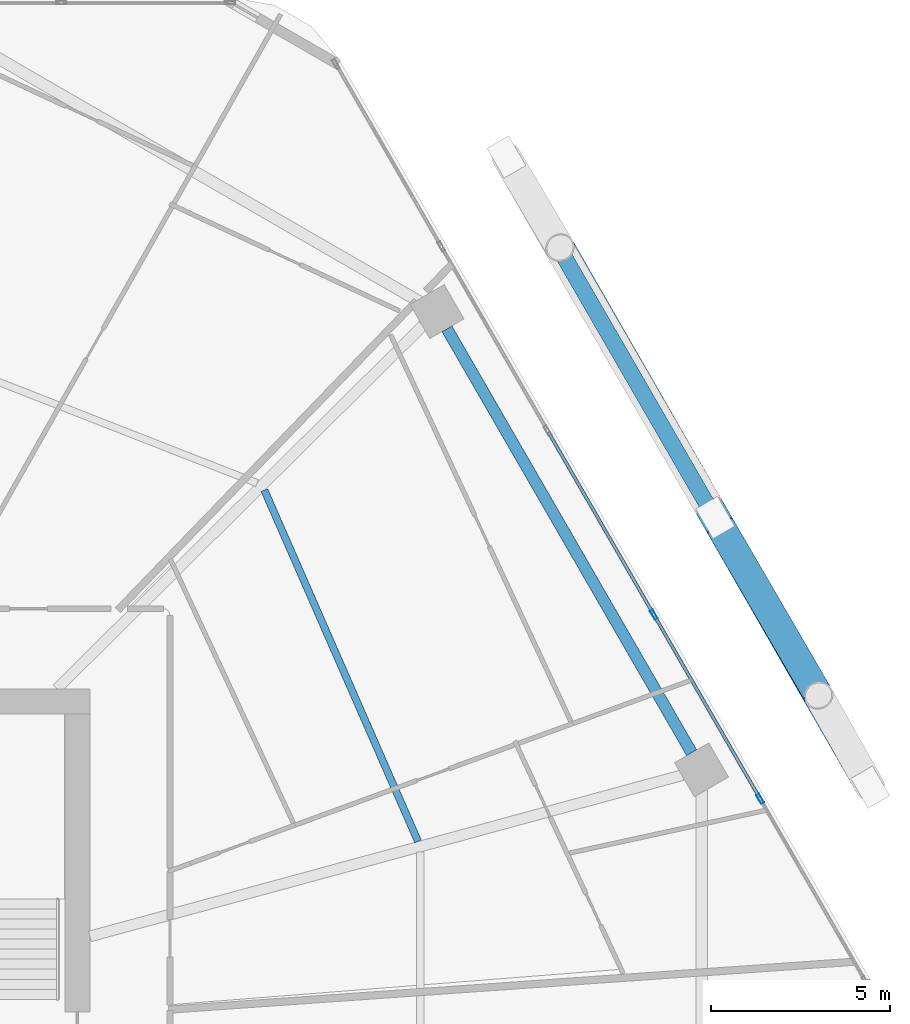
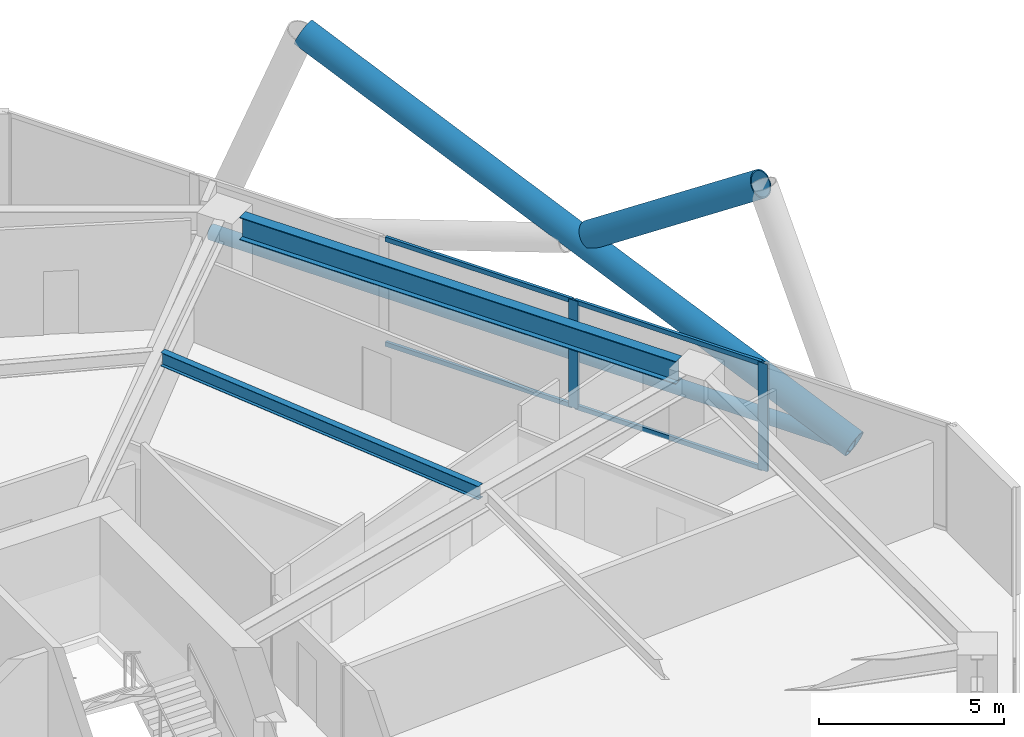
# One storey, part 21 of 35: 9 members, 2 beams, 1 element without a shape of its own.
"""IFC4 building model written with IfcOpenShell, lengths in metres."""

from ifc_helpers import new_model, si_unit, direction, frame, origin, origin_2d, place, context, subcontext, project, spatial, hollow_rectangle, hollow_circle, i_section, extrude, material, material_profile, profile_set, type_object, element, aggregate, save


model = new_model("IFC4")

# Units and contexts
model_context = context("Model", 3, precision=1e-05, world=origin(), true_north=direction((0.0, 1.0)))
body_context = subcontext(model_context, "Body", "Model", "MODEL_VIEW")
ifc_project = project(units=[si_unit("LENGTHUNIT", "METRE"), si_unit("AREAUNIT", "SQUARE_METRE"), si_unit("VOLUMEUNIT", "CUBIC_METRE"), si_unit("PLANEANGLEUNIT", "RADIAN"), si_unit("MASSUNIT", "GRAM", prefix="KILO")], contexts=[model_context])

# Site, building, storey
site_placement = place(None, origin())
site = spatial("IfcSite", under=ifc_project, at=site_placement, CompositionType="ELEMENT")
building_placement = place(site_placement, origin())
building = spatial("IfcBuilding", under=site, at=building_placement, Name="Zuhravey Tower", CompositionType="ELEMENT")
storey_placement = place(building_placement, frame((0.0, 0.0, 92.39990234375)))
storey = spatial("IfcBuildingStorey", under=building, at=storey_placement, Name="L22", CompositionType="ELEMENT", Elevation=92.39990234375)

# Curtain wall, members
ifc_material_1 = material(Name="Thermally broken anodised aluminium", Category="aluminium")
curtain_wall_type = type_object("IfcCurtainWallType", Name="Zone 1-2 Residential Curtain Wall CW3", PredefinedType="NOTDEFINED", material=ifc_material_1)
curtain_wall_placement = place(storey_placement, origin())
curtain_wall = element("IfcCurtainWall", 1, at=curtain_wall_placement, inside=storey, type_object=curtain_wall_type, Name="L22 CW3 CW-L22-F1-1", PredefinedType="NOTDEFINED")
ifc_material_2 = material(Name="Anodised aluminium", Category="aluminium")
ifc_material_profile_1 = material_profile(ifc_material_2, hollow_rectangle(XDim=0.090087890625, YDim=0.284912109375, WallThickness=0.0048828125, at=origin_2d()), Name="ALU-RHS-90x285x5")
ifc_profile_set_1 = profile_set([ifc_material_profile_1], Name="Anodised aluminium")
member_type_1 = type_object("IfcMemberType", Name="Curtain-Wall Mullion 90x180", PredefinedType="MULLION", material=ifc_profile_set_1)
member_1_placement = place(storey_placement, frame((62.55859375, 43.916015625, 0.0), z_axis=(0.0, 0.0, 1.0), x_axis=(0.86602552265, 0.499999794119, 0.0)))
member_1 = element("IfcMember", 2, at=member_1_placement, type_object=member_type_1, Name="CW3 mullion 4", PredefinedType="MULLION", context=body_context, shape_type="SweptSolid", body=[
    extrude(hollow_rectangle(XDim=0.090087890625, YDim=0.284912109375, WallThickness=0.0048828125, at=origin_2d()), origin(), (0.0, 0.0, 1.0), 3.550048828125),
])
member_2_placement = place(storey_placement, frame((65.5185546875, 38.789306640625, 0.0), z_axis=(0.0, 0.0, 1.0), x_axis=(0.86602552265, 0.499999794119, 0.0)))
member_2 = element("IfcMember", 3, at=member_2_placement, type_object=member_type_1, Name="CW3 mullion 5", PredefinedType="MULLION", context=body_context, shape_type="SweptSolid", body=[
    extrude(hollow_rectangle(XDim=0.090087890625, YDim=0.284912109375, WallThickness=0.0048828125, at=origin_2d()), origin(), (0.0, 0.0, 1.0), 3.550048828125),
])
ifc_material_profile_2 = material_profile(ifc_material_2, hollow_rectangle(XDim=0.090087890625, YDim=0.14990234375, WallThickness=0.0048828125, at=origin_2d()), Name="ALU-RHS-90x150x5")
ifc_profile_set_2 = profile_set([ifc_material_profile_2], Name="Anodised aluminium")
member_type_2 = type_object("IfcMemberType", Name="Curtain-Wall Transom 90x150", PredefinedType="USERDEFINED", material=ifc_profile_set_2)
member_3_placement = place(storey_placement, frame((59.621337890625, 49.003662109375, 0.045166015625), z_axis=(0.499981042766, -0.866036348472, 0.0), x_axis=(0.866036348472, 0.499981042766, 0.0)))
member_3 = element("IfcMember", 4, at=member_3_placement, type_object=member_type_2, Name="CW3 transom 3.1", ObjectType="TRANSOM", PredefinedType="USERDEFINED", context=body_context, shape_type="SweptSolid", body=[
    extrude(hollow_rectangle(XDim=0.090087890625, YDim=0.14990234375, WallThickness=0.0048828125, at=origin_2d()), origin(), (0.0, 0.0, 1.0), 5.829833984375),
])
member_4_placement = place(storey_placement, frame((59.621337890625, 49.003662109375, 3.505126953125), z_axis=(0.499981042766, -0.866036348472, 0.0), x_axis=(0.866036348472, 0.499981042766, 0.0)))
member_4 = element("IfcMember", 5, at=member_4_placement, type_object=member_type_2, Name="CW3 transom 3.2", ObjectType="TRANSOM", PredefinedType="USERDEFINED", context=body_context, shape_type="SweptSolid", body=[
    extrude(hollow_rectangle(XDim=0.090087890625, YDim=0.14990234375, WallThickness=0.0048828125, at=origin_2d()), origin(), (0.0, 0.0, 1.0), 5.829833984375),
])
member_5_placement = place(storey_placement, frame((62.581298828125, 43.876953125, 0.045166015625), z_axis=(0.499981042766, -0.866036348472, 0.0), x_axis=(0.866036348472, 0.499981042766, 0.0)))
member_5 = element("IfcMember", 6, at=member_5_placement, type_object=member_type_2, Name="CW3 transom 4.1", ObjectType="TRANSOM", PredefinedType="USERDEFINED", context=body_context, shape_type="SweptSolid", body=[
    extrude(hollow_rectangle(XDim=0.090087890625, YDim=0.14990234375, WallThickness=0.0048828125, at=origin_2d()), origin(), (0.0, 0.0, 1.0), 5.829833984375),
])
member_6_placement = place(storey_placement, frame((62.581298828125, 43.876953125, 3.505126953125), z_axis=(0.499981042766, -0.866036348472, 0.0), x_axis=(0.866036348472, 0.499981042766, 0.0)))
member_6 = element("IfcMember", 7, at=member_6_placement, type_object=member_type_2, Name="CW3 transom 4.2", ObjectType="TRANSOM", PredefinedType="USERDEFINED", context=body_context, shape_type="SweptSolid", body=[
    extrude(hollow_rectangle(XDim=0.090087890625, YDim=0.14990234375, WallThickness=0.0048828125, at=origin_2d()), origin(), (0.0, 0.0, 1.0), 5.829833984375),
])
aggregate(curtain_wall, [member_1, member_2, member_3, member_4, member_5, member_6])

# Members
ifc_material_3 = material(Name="Steel SM355", Category="steel")
ifc_material_profile_3 = material_profile(ifc_material_3, hollow_circle(Radius=0.228515625, WallThickness=0.02197265625, at=origin_2d()), Name="CHS-457.2x22")
ifc_profile_set_3 = profile_set([ifc_material_profile_3], Name="Steel SM355")
member_type_3 = type_object("IfcMemberType", Name="Exoskeleton Ring Tie CHS457x22", PredefinedType="CHORD", material=ifc_profile_set_3)
member_7_placement = place(storey_placement, frame((68.519287109375, 39.231689453125, -0.4638671875), z_axis=(-0.499987058157, 0.866032875632, 0.0), x_axis=(-0.866032875632, -0.499987058157, 0.0)))
element("IfcMember", 8, at=member_7_placement, inside=storey, type_object=member_type_3, Name="L22 Exoskeleton Face 1 Tie EXR1", PredefinedType="CHORD", context=body_context, shape_type="SweptSolid", body=[
    extrude(hollow_circle(Radius=0.228515625, WallThickness=0.02197265625, at=origin_2d()), origin(), (0.0, 0.0, 1.0), 19.99365234375),
])
ifc_material_4 = material(Name="Steel SM460", Category="steel")
ifc_material_profile_4 = material_profile(ifc_material_4, hollow_circle(Radius=0.406494140625, WallThickness=0.035888671875, at=origin_2d()), Name="CHS-812.8x36")
ifc_profile_set_4 = profile_set([ifc_material_profile_4], Name="Steel SM460")
member_type_4 = type_object("IfcMemberType", Name="Exoskeleton Zone 1 Diagrid CHS813x36", PredefinedType="BRACE", material=ifc_profile_set_4)
member_8_placement = place(storey_placement, frame((68.564208984375, 39.154052734375, -0.44189453125), z_axis=(-0.456524424447, 0.793912077885, 0.401608095625), x_axis=(-0.866894516106, -0.498491622744, 0.0)))
element("IfcMember", 9, at=member_8_placement, inside=storey, type_object=member_type_4, Name="L22 Face 1 Diagrid Brace 2", PredefinedType="BRACE", context=body_context, shape_type="SweptSolid", body=[
    extrude(hollow_circle(Radius=0.406494140625, WallThickness=0.035888671875, at=origin_2d()), origin(), (0.0, 0.0, 1.0), 18.814208984375),
])
member_9_placement = place(storey_placement, frame((64.435546875, 46.336669921875, 3.555419921875), z_axis=(0.418447046967, -0.720337571033, 0.55318699609), x_axis=(0.864691703595, 0.502302954137, 0.0)))
element("IfcMember", 10, at=member_9_placement, inside=storey, type_object=member_type_4, Name="L22 Face 1 Split Diagrid Brace 3B", PredefinedType="BRACE", context=body_context, shape_type="SweptSolid", body=[
    extrude(hollow_circle(Radius=0.406494140625, WallThickness=0.035888671875, at=origin_2d()), origin(), (0.0, 0.0, 1.0), 6.41796875),
])

# Beams
ifc_material_profile_5 = material_profile(ifc_material_3, i_section(OverallWidth=0.320068359375, OverallDepth=0.75, WebThickness=0.013916015625, FlangeThickness=0.02490234375, at=origin_2d()), Name="H-750x320x14x25")
ifc_profile_set_5 = profile_set([ifc_material_profile_5], Name="Steel SM355")
beam_type_1 = type_object("IfcBeamType", Name="Perimeter Ring Beam H750x320", PredefinedType="BEAM", material=ifc_profile_set_5)
beam_1_placement = place(storey_placement, frame((63.612548828125, 40.070556640625, 3.175048828125), z_axis=(-0.500008177929, 0.866020682204, 0.0), x_axis=(-0.866020682204, -0.500008177929, 0.0)))
element("IfcBeam", 11, at=beam_1_placement, inside=storey, type_object=beam_type_1, Name="L22 PB1 BM-L22-PB-01", PredefinedType="BEAM", context=body_context, shape_type="SweptSolid", body=[
    extrude(i_section(OverallWidth=0.320068359375, OverallDepth=0.75, WebThickness=0.013916015625, FlangeThickness=0.02490234375, at=origin_2d()), origin(), (0.0, 0.0, 1.0), 13.634033203125),
])
ifc_material_profile_6 = material_profile(ifc_material_3, i_section(OverallWidth=0.199951171875, OverallDepth=0.449951171875, WebThickness=0.009033203125, FlangeThickness=0.013916015625, at=origin_2d()), Name="H-450x200x9x14")
ifc_profile_set_6 = profile_set([ifc_material_profile_6], Name="Steel SM355")
beam_type_2 = type_object("IfcBeamType", Name="Secondary Floor Joist H450x200", PredefinedType="JOIST", material=ifc_profile_set_6)
beam_2_placement = place(storey_placement, frame((55.99072265625, 37.599609375, 3.3251953125), z_axis=(-0.400786454617, 0.916171500209, 0.0), x_axis=(-0.916171500209, -0.400786454617, 0.0)))
element("IfcBeam", 12, at=beam_2_placement, inside=storey, type_object=beam_type_2, Name="L22 SJ1 BM-L22-SJ-01-1", PredefinedType="JOIST", context=body_context, shape_type="SweptSolid", body=[
    extrude(i_section(OverallWidth=0.199951171875, OverallDepth=0.449951171875, WebThickness=0.009033203125, FlangeThickness=0.013916015625, at=origin_2d()), origin(), (0.0, 0.0, 1.0), 10.6796875),
])

save(model, "model.ifc")
